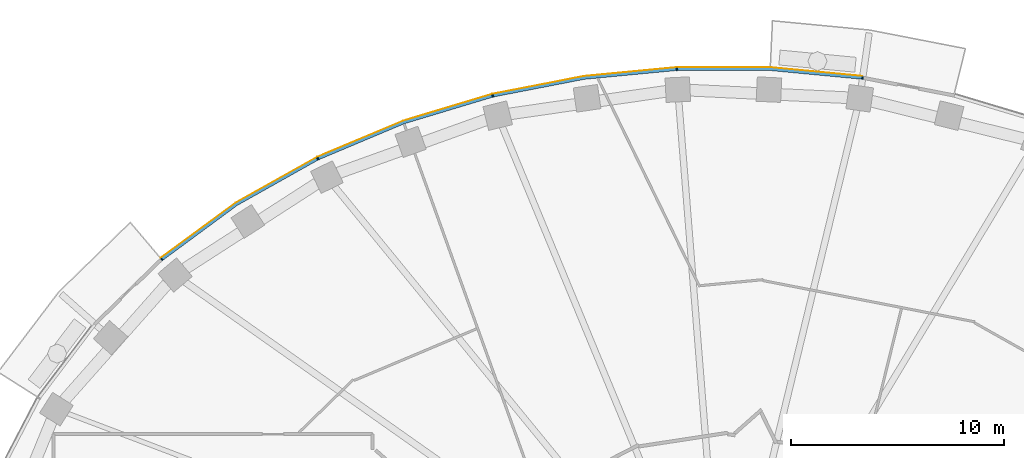
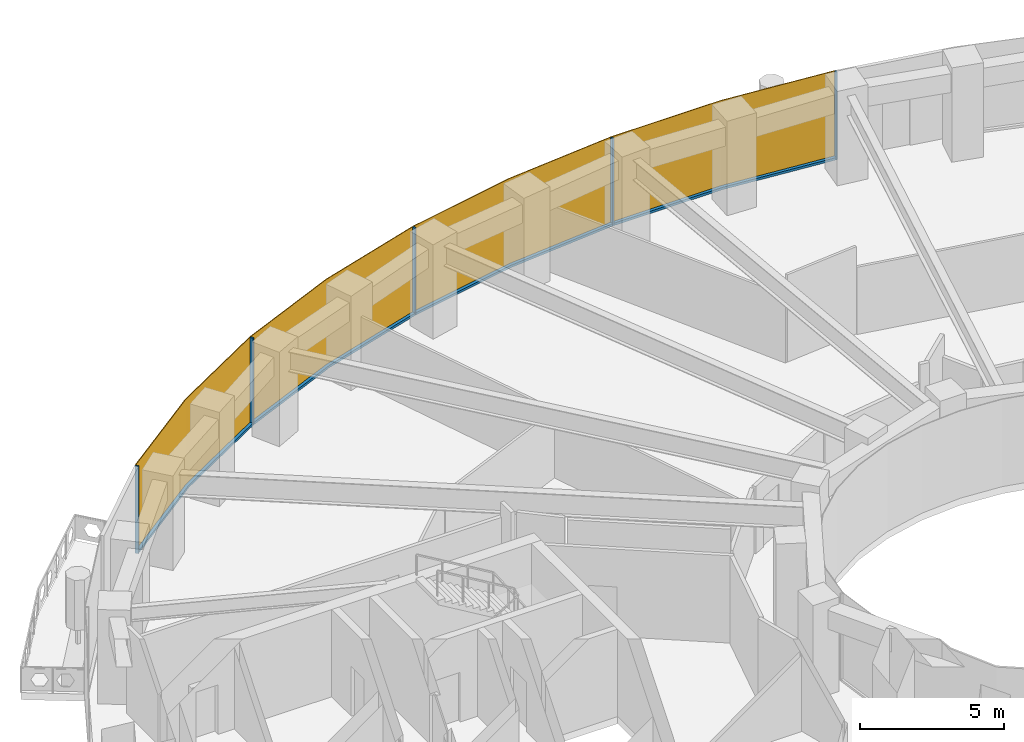
# One storey, part 11 of 16: 9 members, 1 curtain wall.
"""IFC4 building model written with IfcOpenShell, lengths in metres."""

import ifcopenshell
import ifcopenshell.guid

model = None  # the IFC model being written
_history = None  # IfcOwnerHistory: only IFC2X3 demands one
_inside = {}  # id of a spatial element -> (the spatial element, [elements in it])
_under = {}  # id of a project, library or spatial element -> (it, [spatial elements below it])
_declared = {}  # id of a project -> (the project, [libraries it declares])
_typed = {}  # id of a type object -> (the type object, [elements of that type])
_made_of = {}  # id of a material, layer set ... -> (it, [elements and type objects made of it])


def new_model(schema):
    """Start an empty IFC model of exactly this schema.

    Asked for "IFC4X3", IfcOpenShell would pick the latest addendum, in which some entities
    have other attributes; the version numbers below select the first issue.
    IFC2X3 requires an IfcOwnerHistory on every rooted entity: one is made here for all.
    """
    global model, _history
    if schema == "IFC4X3":
        model = ifcopenshell.file(schema_version=(4, 3, 0, 0))
    else:
        model = ifcopenshell.file(schema=schema)
    _inside.clear()
    _under.clear()
    _declared.clear()
    _typed.clear()
    _made_of.clear()
    _history = None
    if model.schema == "IFC2X3":
        org = make("IfcOrganization", Name="unknown")
        user = make(
            "IfcPersonAndOrganization",
            ThePerson=make("IfcPerson", FamilyName="unknown"),
            TheOrganization=org,
        )
        app = make(
            "IfcApplication",
            ApplicationDeveloper=org,
            Version="unknown",
            ApplicationFullName="unknown",
            ApplicationIdentifier="unknown",
        )
        _history = make(
            "IfcOwnerHistory",
            OwningUser=user,
            OwningApplication=app,
            ChangeAction="ADDED",
            CreationDate=0,
        )
    return model


def make(cls, **values):
    """One entity of the class cls with the attributes given. An attribute that is None is left unset."""
    return model.create_entity(
        cls, **{name: value for name, value in values.items() if value is not None}
    )


def rooted(cls, **values):
    """An entity with a GlobalId (a new one), such as an element, a storey or a relation."""
    return make(cls, GlobalId=ifcopenshell.guid.new(), OwnerHistory=_history, **values)


def si_unit(unit_type, name, prefix=None):
    """IfcSIUnit, for example si_unit("LENGTHUNIT", "METRE", prefix="MILLI")."""
    return make("IfcSIUnit", UnitType=unit_type, Prefix=prefix, Name=name)


def assignment(units):
    """IfcUnitAssignment: the units of a project."""
    return None if units is None else make("IfcUnitAssignment", Units=units)


def point(xyz):
    """IfcCartesianPoint."""
    return None if xyz is None else make("IfcCartesianPoint", Coordinates=xyz)


def direction(xyz):
    """IfcDirection."""
    return None if xyz is None else make("IfcDirection", DirectionRatios=xyz)


def frame(location, z_axis=None, x_axis=None):
    """IfcAxis2Placement3D, a coordinate frame: its origin and axes. An axis left out is left unset."""
    return make(
        "IfcAxis2Placement3D",
        Location=point(location),
        Axis=direction(z_axis),
        RefDirection=direction(x_axis),
    )


def frame_2d(location, x_axis=None):
    """IfcAxis2Placement2D, a coordinate frame in the plane: its origin and x axis."""
    return make(
        "IfcAxis2Placement2D", Location=point(location), RefDirection=direction(x_axis)
    )


def origin():
    """The frame at (0, 0, 0) with its axes left unset."""
    return frame((0.0, 0.0, 0.0))


def origin_2d():
    """The frame at (0, 0) in the plane with its x axis left unset."""
    return frame_2d((0.0, 0.0))


def place(relative_to, where):
    """IfcLocalPlacement: puts the frame where relative to a parent placement (None: the world)."""
    return make(
        "IfcLocalPlacement", PlacementRelTo=relative_to, RelativePlacement=where
    )


def context(
    kind, dimensions, precision=None, world=None, true_north=None, identifier=None
):
    """IfcGeometricRepresentationContext, for example the 3D "Model" context."""
    return make(
        "IfcGeometricRepresentationContext",
        ContextIdentifier=identifier,
        ContextType=kind,
        CoordinateSpaceDimension=dimensions,
        Precision=precision,
        WorldCoordinateSystem=world,
        TrueNorth=true_north,
    )


def subcontext(parent, identifier, kind, view, scale=None):
    """IfcGeometricRepresentationSubContext, for example "Body" below "Model"."""
    return make(
        "IfcGeometricRepresentationSubContext",
        ContextIdentifier=identifier,
        ContextType=kind,
        ParentContext=parent,
        TargetScale=scale,
        TargetView=view,
    )


def project(units=None, contexts=None):
    """IfcProject with its units and contexts."""
    return rooted(
        "IfcProject",
        Name="project",
        RepresentationContexts=contexts,
        UnitsInContext=assignment(units),
    )


def spatial(cls, under=None, at=None, **own):
    """A site, building, storey or space (cls), placed at a placement, below another one or the project."""
    s = rooted(cls, ObjectPlacement=at, **own)
    if under is not None:
        _under.setdefault(under.id(), (under, []))[1].append(s)
    return s


def polyline(points):
    """IfcPolyline through the points."""
    return make("IfcPolyline", Points=[point(p) for p in points])


def profile(cls, at=None, kind="AREA", **sizes):
    """A parametric profile (cls). Its sizes go by their IFC names, for example OverallWidth=200.0."""
    return make(cls, ProfileType=kind, Position=at, **sizes)


def rectangle(**sizes):
    """IfcRectangleProfileDef."""
    return profile("IfcRectangleProfileDef", **sizes)


def outline(outer, holes=None, kind="AREA"):
    """IfcArbitraryClosedProfileDef: a profile drawn as a closed curve; with holes, ...WithVoids."""
    if holes is None:
        return make("IfcArbitraryClosedProfileDef", ProfileType=kind, OuterCurve=outer)
    return make(
        "IfcArbitraryProfileDefWithVoids",
        ProfileType=kind,
        OuterCurve=outer,
        InnerCurves=holes,
    )


def extrude(swept, where, along, depth):
    """IfcExtrudedAreaSolid: the profile swept, set in the frame where, extruded along a direction by depth."""
    return make(
        "IfcExtrudedAreaSolid",
        SweptArea=swept,
        Position=where,
        ExtrudedDirection=direction(along),
        Depth=depth,
    )


def shape(context_of_items, identifier, shape_type, items):
    """IfcShapeRepresentation: the items that make up one representation, for example the "Body"."""
    return make(
        "IfcShapeRepresentation",
        ContextOfItems=context_of_items,
        RepresentationIdentifier=identifier,
        RepresentationType=shape_type,
        Items=items,
    )


def material(Name=None, Category=None):
    """IfcMaterial."""
    return make("IfcMaterial", Name=Name, Category=Category)


def layer(
    of_material, thickness, ventilated=None, Name=None, Category=None, Priority=None
):
    """IfcMaterialLayer: one layer of a wall or slab, of a material (None: an air gap)."""
    return make(
        "IfcMaterialLayer",
        Material=of_material,
        LayerThickness=thickness,
        IsVentilated=ventilated,
        Name=Name,
        Category=Category,
        Priority=Priority,
    )


def layer_set(layers, Name=None):
    """IfcMaterialLayerSet."""
    return make("IfcMaterialLayerSet", MaterialLayers=layers, LayerSetName=Name)


def material_profile(
    of_material, cross_section, Name=None, Category=None, Priority=None
):
    """IfcMaterialProfile: a cross section and its material."""
    return make(
        "IfcMaterialProfile",
        Name=Name,
        Material=of_material,
        Profile=cross_section,
        Priority=Priority,
        Category=Category,
    )


def profile_set(profiles, Name=None, composite=None):
    """IfcMaterialProfileSet."""
    return make(
        "IfcMaterialProfileSet",
        Name=Name,
        MaterialProfiles=profiles,
        CompositeProfile=composite,
    )


def made_of(thing, what):
    """Note that an element or type object is made of a material, layer set ...; save() writes the relation."""
    if what is not None:
        _made_of.setdefault(what.id(), (what, []))[1].append(thing)
    return thing


def type_object(cls, material=None, **own):
    """A type object (cls), such as IfcWallType, which elements share."""
    return made_of(rooted(cls, **own), material)


def element(
    cls,
    number,
    at=None,
    inside=None,
    cuts=None,
    type_object=None,
    material=None,
    context=None,
    identifier="Body",
    shape_type=None,
    held_by="IfcProductDefinitionShape",
    body=None,
    shapes=None,
    **own,
):
    """One element of the class cls, such as IfcWall. Its Tag is "e" and its number.

    at: its placement. inside: the storey or other place that contains it. cuts: it is an
    opening in that element (IfcRelVoidsElement). A single representation is given by context,
    identifier, shape_type and body (its items); several are given by shapes. held_by: the class
    of the entity that holds the representations. save() writes the other relations.
    """
    e = rooted(cls, Tag="e%d" % number, ObjectPlacement=at, **own)
    if body is not None:
        shapes = [shape(context, identifier, shape_type, body)]
    if shapes is not None:
        e.Representation = make(held_by, Representations=shapes)
    if inside is not None:
        _inside.setdefault(inside.id(), (inside, []))[1].append(e)
    if cuts is not None:
        rooted(
            "IfcRelVoidsElement", RelatingBuildingElement=cuts, RelatedOpeningElement=e
        )
    if type_object is not None:
        _typed.setdefault(type_object.id(), (type_object, []))[1].append(e)
    return made_of(e, material)


def aggregate(whole, parts):
    """IfcRelAggregates: a whole, such as a stair, and the parts it consists of."""
    return rooted("IfcRelAggregates", RelatingObject=whole, RelatedObjects=parts)


def save(model, path):
    """Write the relations noted so far, then the file.

    IfcRelAggregates (storeys below a building ...), IfcRelContainedInSpatialStructure (elements
    in a storey), IfcRelDefinesByType, IfcRelAssociatesMaterial and IfcRelDeclares: one each for
    every whole, place, type object, material and project.
    """
    for whole, parts in _under.values():
        aggregate(whole, parts)
    for where, things in _inside.values():
        rooted(
            "IfcRelContainedInSpatialStructure",
            RelatedElements=things,
            RelatingStructure=where,
        )
    for kind, things in _typed.values():
        rooted("IfcRelDefinesByType", RelatedObjects=things, RelatingType=kind)
    for what, things in _made_of.values():
        rooted("IfcRelAssociatesMaterial", RelatedObjects=things, RelatingMaterial=what)
    for by, libraries in _declared.values():
        rooted("IfcRelDeclares", RelatingContext=by, RelatedDefinitions=libraries)
    model.write(path)


model = new_model("IFC4")

# Units and contexts
model_context = context("Model", 3, precision=1e-05, world=origin(), true_north=direction((0.0, 1.0)))
body_context = subcontext(model_context, "Body", "Model", "MODEL_VIEW")
ifc_project = project(units=[si_unit("LENGTHUNIT", "METRE"), si_unit("AREAUNIT", "SQUARE_METRE"), si_unit("VOLUMEUNIT", "CUBIC_METRE"), si_unit("PLANEANGLEUNIT", "RADIAN"), si_unit("MASSUNIT", "GRAM", prefix="KILO")], contexts=[model_context])

# Member
ifc_material_1 = material(Name="Aluminium 6063-T6 black anodised", Category="aluminium")
ifc_material_profile = material_profile(ifc_material_1, rectangle(XDim=0.1201171875, YDim=0.06005859375, at=origin_2d()), Name="120x60")
ifc_profile_set = profile_set([ifc_material_profile], Name="Aluminium 6063-T6 black anodised")
member_type_1 = type_object("IfcMemberType", Name="ENV-MULLION-A-120", PredefinedType="MULLION", material=ifc_profile_set)
site_placement = place(None, origin())
building_placement = place(site_placement, origin())
storey_placement = place(building_placement, frame((0.0, 0.0, 178.0)))
member_1_placement = place(storey_placement, frame((6.54638671875, 27.440185546875, 0.0), z_axis=(0.0, 0.0, 1.0), x_axis=(-0.143082012705, -0.989710835366, 0.0)))
member_1 = element("IfcMember", 1, at=member_1_placement, type_object=member_type_1, Name="Mullion A radial 11", PredefinedType="MULLION", context=body_context, shape_type="SweptSolid", body=[
    extrude(rectangle(XDim=0.1201171875, YDim=0.06005859375, at=origin_2d()), origin(), (0.0, 0.0, 1.0), 3.699951171875),
])

member_2_placement = place(storey_placement, frame((-2.188720703125, 27.856201171875, 0.0), z_axis=(0.0, 0.0, 1.0), x_axis=(0.047557873581, -0.998868484166, 0.0)))
member_2 = element("IfcMember", 2, at=member_2_placement, type_object=member_type_1, Name="Mullion A radial 13", PredefinedType="MULLION", context=body_context, shape_type="SweptSolid", body=[
    extrude(rectangle(XDim=0.1201171875, YDim=0.06005859375, at=origin_2d()), origin(), (0.0, 0.0, 1.0), 3.699951171875),
])

member_3_placement = place(storey_placement, frame((-10.84326171875, 26.60498046875, 0.0), z_axis=(0.0, 0.0, 1.0), x_axis=(0.239799081534, -0.970822538106, 0.0)))
member_3 = element("IfcMember", 3, at=member_3_placement, type_object=member_type_1, Name="Mullion A radial 15", PredefinedType="MULLION", context=body_context, shape_type="SweptSolid", body=[
    extrude(rectangle(XDim=0.1201171875, YDim=0.06005859375, at=origin_2d()), origin(), (0.0, 0.0, 1.0), 3.699951171875),
])

member_4_placement = place(storey_placement, frame((-19.06787109375, 23.6474609375, 0.0), z_axis=(0.0, 0.0, 1.0), x_axis=(0.439237769837, -0.898370848563, 0.0)))
member_4 = element("IfcMember", 4, at=member_4_placement, type_object=member_type_1, Name="Mullion A radial 17", PredefinedType="MULLION", context=body_context, shape_type="SweptSolid", body=[
    extrude(rectangle(XDim=0.1201171875, YDim=0.06005859375, at=origin_2d()), origin(), (0.0, 0.0, 1.0), 3.699951171875),
])

member_5_placement = place(storey_placement, frame((-26.403564453125, 18.9130859375, 0.0), z_axis=(0.0, 0.0, 1.0), x_axis=(0.646451313783, -0.762955240435, 0.0)))
member_5 = element("IfcMember", 5, at=member_5_placement, type_object=member_type_1, Name="Mullion A radial 19", PredefinedType="MULLION", context=body_context, shape_type="SweptSolid", body=[
    extrude(rectangle(XDim=0.1201171875, YDim=0.06005859375, at=origin_2d()), origin(), (0.0, 0.0, 1.0), 3.699951171875),
])

ifc_material_2 = material(Name="Aluminium 6063-T6 black anodised", Category="aluminium")
member_type_2 = type_object("IfcMemberType", Name="ENV-TRANSOM-A", PredefinedType="USERDEFINED", material=ifc_material_2)
member_6_placement = place(storey_placement, origin())
member_6 = element("IfcMember", 6, at=member_6_placement, type_object=member_type_2, Name="Transom A radial 11-13", ObjectType="TRANSOM", PredefinedType="USERDEFINED", context=body_context, shape_type="SweptSolid", body=[
    extrude(outline(polyline([(6.527099609375, 27.502197265625), (2.191650390625, 27.916015625), (-2.163818359375, 27.916015625), (-2.157958984375, 27.7958984375), (2.185791015625, 27.7958984375), (6.510009765625, 27.38330078125), (6.527099609375, 27.502197265625)])), origin(), (0.0, 0.0, 1.0), 0.10009765625),
])

member_7_placement = place(storey_placement, origin())
member_7 = element("IfcMember", 7, at=member_7_placement, type_object=member_type_2, Name="Transom A radial 13-15", ObjectType="TRANSOM", PredefinedType="USERDEFINED", context=body_context, shape_type="SweptSolid", body=[
    extrude(outline(polyline([(-2.219482421875, 27.913330078125), (-6.55517578125, 27.49951171875), (-10.830078125, 26.66845703125), (-10.80126953125, 26.552001953125), (-6.537841796875, 27.380615234375), (-2.2138671875, 27.793212890625), (-2.219482421875, 27.913330078125)])), origin(), (0.0, 0.0, 1.0), 0.10009765625),
])

member_8_placement = place(storey_placement, origin())
member_8 = element("IfcMember", 8, at=member_8_placement, type_object=member_type_2, Name="Transom A radial 15-17", ObjectType="TRANSOM", PredefinedType="USERDEFINED", context=body_context, shape_type="SweptSolid", body=[
    extrude(outline(polyline([(-10.884521484375, 26.655029296875), (-15.054443359375, 25.400146484375), (-19.068359375, 23.71240234375), (-19.015380859375, 23.604248046875), (-15.013916015625, 25.287109375), (-10.855712890625, 26.53857421875), (-10.884521484375, 26.655029296875)])), origin(), (0.0, 0.0, 1.0), 0.10009765625),
])

member_9_placement = place(storey_placement, origin())
member_9 = element("IfcMember", 9, at=member_9_placement, type_object=member_type_2, Name="Transom A radial 17-19", ObjectType="TRANSOM", PredefinedType="USERDEFINED", context=body_context, shape_type="SweptSolid", body=[
    extrude(outline(polyline([(-19.11865234375, 23.687744140625), (-22.9150390625, 21.556884765625), (-26.419921875, 18.975341796875), (-26.342041015625, 18.883544921875), (-22.85009765625, 21.455810546875), (-19.06591796875, 23.57958984375), (-19.11865234375, 23.687744140625)])), origin(), (0.0, 0.0, 1.0), 0.10009765625),
])

# Site, building, storey
site = spatial("IfcSite", under=ifc_project, at=site_placement, CompositionType="ELEMENT")
building = spatial("IfcBuilding", under=site, at=building_placement, Name="Noorbagh Ring Tower", CompositionType="ELEMENT")
storey = spatial("IfcBuildingStorey", under=building, at=storey_placement, Name="L41", CompositionType="ELEMENT", Elevation=178.0)

# Curtain wall
ifc_material_3 = material(Name="Glass dark tinted laminated", Category="glass")
ifc_layer = layer(ifc_material_3, 0.031982421875)
ifc_layer_set = layer_set([ifc_layer], Name="Glass dark tinted laminated")
curtain_wall_type = type_object("IfcCurtainWallType", Name="ENV-CW-A", PredefinedType="NOTDEFINED", material=ifc_layer_set)
curtain_wall_placement = place(storey_placement, origin())
curtain_wall = element("IfcCurtainWall", 10, at=curtain_wall_placement, inside=storey, type_object=curtain_wall_type, Name="Curtain wall A R11", PredefinedType="NOTDEFINED", context=body_context, shape_type="SweptSolid", body=[
    extrude(outline(polyline([(6.539794921875, 27.533203125), (2.193115234375, 27.947998046875), (-2.193115234375, 27.947998046875), (-6.559814453125, 27.53125), (-10.865234375, 26.6943359375), (-15.065185546875, 25.430419921875), (-19.108154296875, 23.730224609375), (-22.9326171875, 21.583740234375), (-26.447021484375, 18.9951171875), (-26.42626953125, 18.970703125), (-22.9150390625, 21.556884765625), (-19.093994140625, 23.701416015625), (-15.054443359375, 25.400146484375), (-10.857666015625, 26.6630859375), (-6.55517578125, 27.49951171875), (-2.191650390625, 27.916015625), (2.191650390625, 27.916015625), (6.53515625, 27.50146484375), (6.539794921875, 27.533203125)])), origin(), (0.0, 0.0, 1.0), 3.699951171875),
])

aggregate(curtain_wall, [member_1, member_2, member_3, member_4, member_5, member_6, member_7, member_8, member_9])

save(model, "model.ifc")
